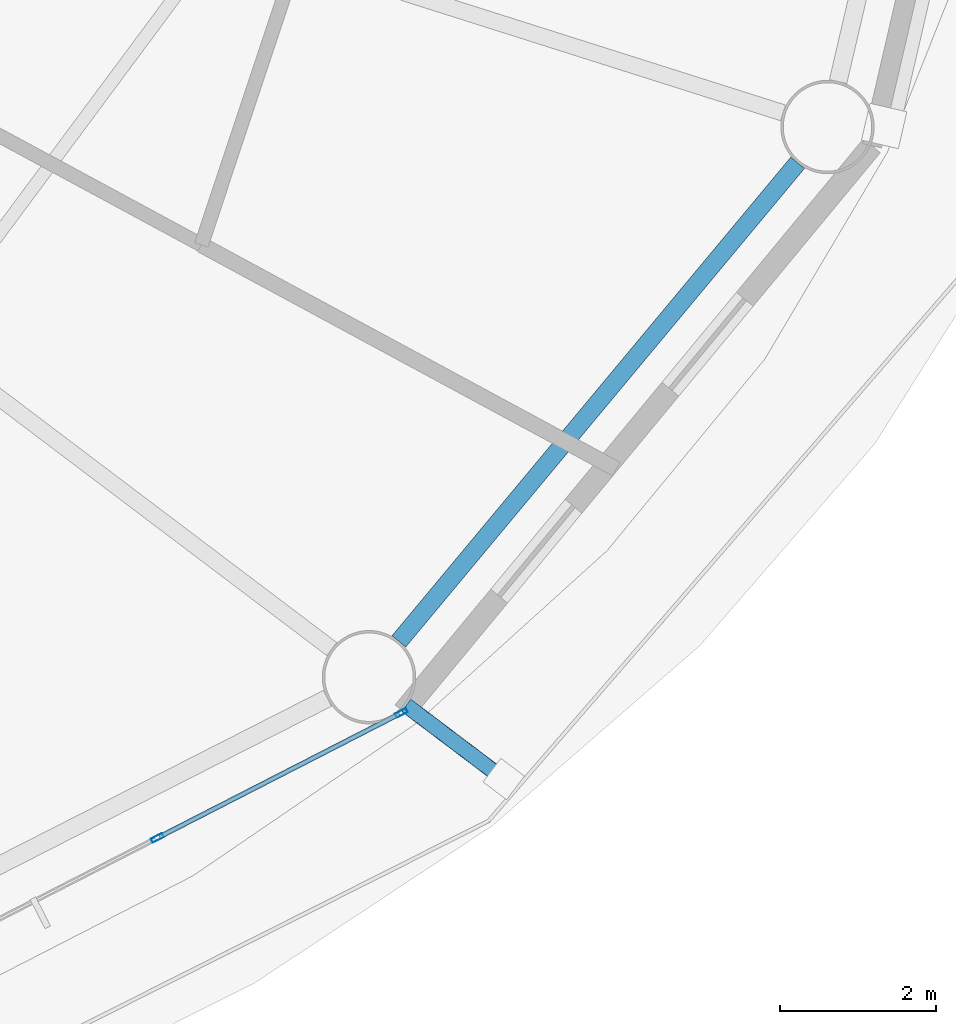
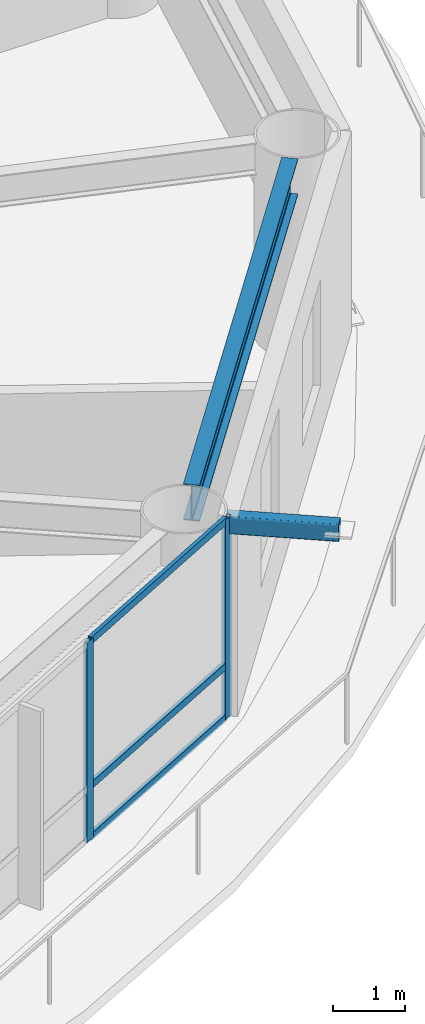
# One storey, part 6 of 24: 6 members, 1 beam, 1 element without a shape of its own.
"""IFC4 building model written with IfcOpenShell, lengths in metres."""

from ifc_helpers import new_model, si_unit, direction, frame, origin, origin_2d, place, context, subcontext, project, spatial, hollow_rectangle, i_section, extrude, material, layer, layer_set, material_profile, profile_set, type_object, element, aggregate, save


model = new_model("IFC4")

# Units and contexts
model_context = context("Model", 3, precision=1e-05, world=origin(), true_north=direction((0.0, 1.0)))
body_context = subcontext(model_context, "Body", "Model", "MODEL_VIEW")
ifc_project = project(units=[si_unit("LENGTHUNIT", "METRE"), si_unit("AREAUNIT", "SQUARE_METRE"), si_unit("VOLUMEUNIT", "CUBIC_METRE"), si_unit("PLANEANGLEUNIT", "RADIAN"), si_unit("MASSUNIT", "GRAM", prefix="KILO")], contexts=[model_context])

# Site, building, storey
site_placement = place(None, origin())
site = spatial("IfcSite", under=ifc_project, at=site_placement, CompositionType="ELEMENT")
building_placement = place(site_placement, origin())
building = spatial("IfcBuilding", under=site, at=building_placement, Name="Sarneth Arch Tower", CompositionType="ELEMENT")
storey_placement = place(building_placement, frame((0.0, 0.0, 112.800048828125)))
storey = spatial("IfcBuildingStorey", under=building, at=storey_placement, Name="L28", CompositionType="ELEMENT", Elevation=112.800048828125)

# Beam
ifc_material_1 = material(Name="Steel S355", Category="steel")
ifc_material_profile_1 = material_profile(ifc_material_1, i_section(OverallWidth=0.22900390625, OverallDepth=0.612060546875, WebThickness=0.011962890625, FlangeThickness=0.01953125, FilletRadius=0.01904296875, at=origin_2d()), Name="W610x125")
ifc_profile_set_1 = profile_set([ifc_material_profile_1], Name="Steel S355")
beam_type = type_object("IfcBeamType", Name="BM-SPAN-610C", PredefinedType="SPANDREL", material=ifc_profile_set_1)
beam_placement = place(storey_placement, frame((68.78173828125, 27.0458984375, 3.073974609375), z_axis=(0.640163403463, 0.768238775946, 0.0), x_axis=(-0.768238775946, 0.640163403463, 0.0)))
element("IfcBeam", 1, at=beam_placement, inside=storey, type_object=beam_type, Name="L28 Perimeter spandrel beam 15", PredefinedType="SPANDREL", context=body_context, shape_type="SweptSolid", body=[
    extrude(i_section(OverallWidth=0.22900390625, OverallDepth=0.612060546875, WebThickness=0.011962890625, FlangeThickness=0.01953125, FilletRadius=0.01904296875, at=origin_2d()), origin(), (0.0, 0.0, 1.0), 8.006103515625),
])

# Curtain wall, members
ifc_material_2 = material(Name="Anodised aluminium Type AA25 and solar-control low-e laminated IGU", Category="aluminium")
ifc_layer = layer(ifc_material_2, 0.159912109375)
ifc_layer_set = layer_set([ifc_layer], Name="Anodised aluminium Type AA25 and solar-control low-e laminated IGU")
curtain_wall_type = type_object("IfcCurtainWallType", Name="CW-HOTEL-MID", PredefinedType="NOTDEFINED", material=ifc_layer_set)
curtain_wall_placement = place(storey_placement, origin())
curtain_wall = element("IfcCurtainWall", 2, at=curtain_wall_placement, inside=storey, type_object=curtain_wall_type, Name="L28 Unitised curtain wall facet 14", PredefinedType="NOTDEFINED")
ifc_material_3 = material(Name="Anodised Aluminium 6063-T6", Category="aluminium")
ifc_material_profile_2 = material_profile(ifc_material_3, hollow_rectangle(XDim=0.06005859375, YDim=0.159912109375, WallThickness=0.00390625, at=origin_2d()), Name="AL-MULL-160x60x4")
ifc_profile_set_2 = profile_set([ifc_material_profile_2], Name="Anodised Aluminium 6063-T6")
member_type_1 = type_object("IfcMemberType", Name="CW-MULLION", PredefinedType="MULLION", material=ifc_profile_set_2)
member_1_placement = place(storey_placement, frame((65.677001953125, 24.518798828125, 0.0), z_axis=(0.0, 0.0, 1.0), x_axis=(-0.456031365356, 0.889963703649, 0.0)))
member_1 = element("IfcMember", 3, at=member_1_placement, type_object=member_type_1, Name="CW-SYS-4 mullion 3", PredefinedType="MULLION", context=body_context, shape_type="SweptSolid", body=[
    extrude(hollow_rectangle(XDim=0.06005859375, YDim=0.159912109375, WallThickness=0.00390625, at=origin_2d()), origin(), (0.0, 0.0, 1.0), 3.3798828125),
])
member_2_placement = place(storey_placement, frame((68.813232421875, 26.1259765625, 0.0), z_axis=(0.0, 0.0, 1.0), x_axis=(-0.456031365356, 0.889963703649, 0.0)))
member_2 = element("IfcMember", 4, at=member_2_placement, type_object=member_type_1, Name="CW-SYS-4 mullion 4", PredefinedType="MULLION", context=body_context, shape_type="SweptSolid", body=[
    extrude(hollow_rectangle(XDim=0.06005859375, YDim=0.159912109375, WallThickness=0.00390625, at=origin_2d()), origin(), (0.0, 0.0, 1.0), 3.3798828125),
])
ifc_material_4 = material(Name="Anodised Aluminium 6063-T6", Category="aluminium")
ifc_material_profile_3 = material_profile(ifc_material_4, hollow_rectangle(XDim=0.06005859375, YDim=0.1201171875, WallThickness=0.00390625, at=origin_2d()), Name="AL-TRAN-120x60x4")
ifc_profile_set_3 = profile_set([ifc_material_profile_3], Name="Anodised Aluminium 6063-T6")
member_type_2 = type_object("IfcMemberType", Name="CW-TRANSOM", PredefinedType="USERDEFINED", material=ifc_profile_set_3)
member_3_placement = place(storey_placement, frame((65.703857421875, 24.532470703125, 0.030029296875), z_axis=(0.889942905184, 0.456071952122, 0.0), x_axis=(-0.456071952122, 0.889942905184, 0.0)))
member_3 = element("IfcMember", 5, at=member_3_placement, type_object=member_type_2, Name="CW-SYS-4 transom 3.1", ObjectType="TRANSOM", PredefinedType="USERDEFINED", context=body_context, shape_type="SweptSolid", body=[
    extrude(hollow_rectangle(XDim=0.06005859375, YDim=0.1201171875, WallThickness=0.00390625, at=origin_2d()), origin(), (0.0, 0.0, 1.0), 3.464111328125),
])
member_4_placement = place(storey_placement, frame((65.703857421875, 24.532470703125, 0.89990234375), z_axis=(0.889942905184, 0.456071952122, 0.0), x_axis=(-0.456071952122, 0.889942905184, 0.0)))
member_4 = element("IfcMember", 6, at=member_4_placement, type_object=member_type_2, Name="CW-SYS-4 transom 3.2", ObjectType="TRANSOM", PredefinedType="USERDEFINED", context=body_context, shape_type="SweptSolid", body=[
    extrude(hollow_rectangle(XDim=0.06005859375, YDim=0.1201171875, WallThickness=0.00390625, at=origin_2d()), origin(), (0.0, 0.0, 1.0), 3.464111328125),
])
member_5_placement = place(storey_placement, frame((65.703857421875, 24.532470703125, 3.349853515625), z_axis=(0.889942905184, 0.456071952122, 0.0), x_axis=(-0.456071952122, 0.889942905184, 0.0)))
member_5 = element("IfcMember", 7, at=member_5_placement, type_object=member_type_2, Name="CW-SYS-4 transom 3.3", ObjectType="TRANSOM", PredefinedType="USERDEFINED", context=body_context, shape_type="SweptSolid", body=[
    extrude(hollow_rectangle(XDim=0.06005859375, YDim=0.1201171875, WallThickness=0.00390625, at=origin_2d()), origin(), (0.0, 0.0, 1.0), 3.464111328125),
])
aggregate(curtain_wall, [member_1, member_2, member_3, member_4, member_5])

# Member
ifc_material_5 = material(Name="Steel S355", Category="steel")
ifc_material_profile_4 = material_profile(ifc_material_5, hollow_rectangle(XDim=0.199951171875, YDim=0.300048828125, WallThickness=0.012451171875, InnerFilletRadius=0.018798828125, OuterFilletRadius=0.03125, at=origin_2d()), Name="RHS300x200x12.5")
ifc_profile_set_4 = profile_set([ifc_material_profile_4], Name="Steel S355")
member_type_3 = type_object("IfcMemberType", Name="MEM-CANT-STRUT", PredefinedType="STRUT", material=ifc_profile_set_4)
member_6_placement = place(storey_placement, frame((68.876220703125, 26.223388671875, 3.219970703125), z_axis=(0.797812498133, -0.602905645871, 0.0), x_axis=(0.602905645871, 0.797812498133, 0.0)))
element("IfcMember", 8, at=member_6_placement, inside=storey, type_object=member_type_3, Name="L28 Balcony cantilever bracket 15", PredefinedType="STRUT", context=body_context, shape_type="SweptSolid", body=[
    extrude(hollow_rectangle(XDim=0.199951171875, YDim=0.300048828125, WallThickness=0.012451171875, InnerFilletRadius=0.018798828125, OuterFilletRadius=0.03125, at=origin_2d()), origin(), (0.0, 0.0, 1.0), 1.57080078125),
])

save(model, "model.ifc")
